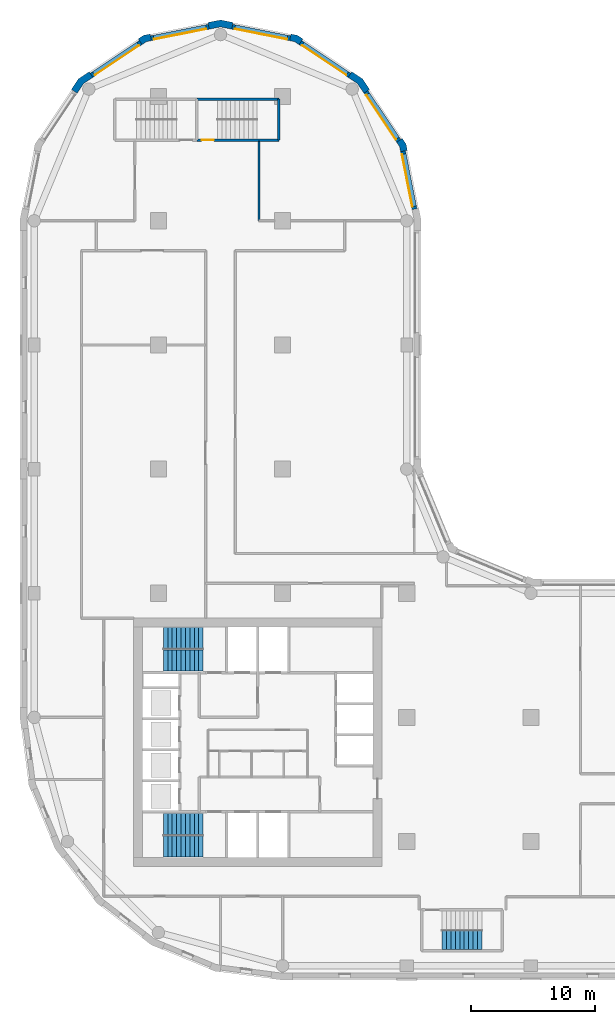
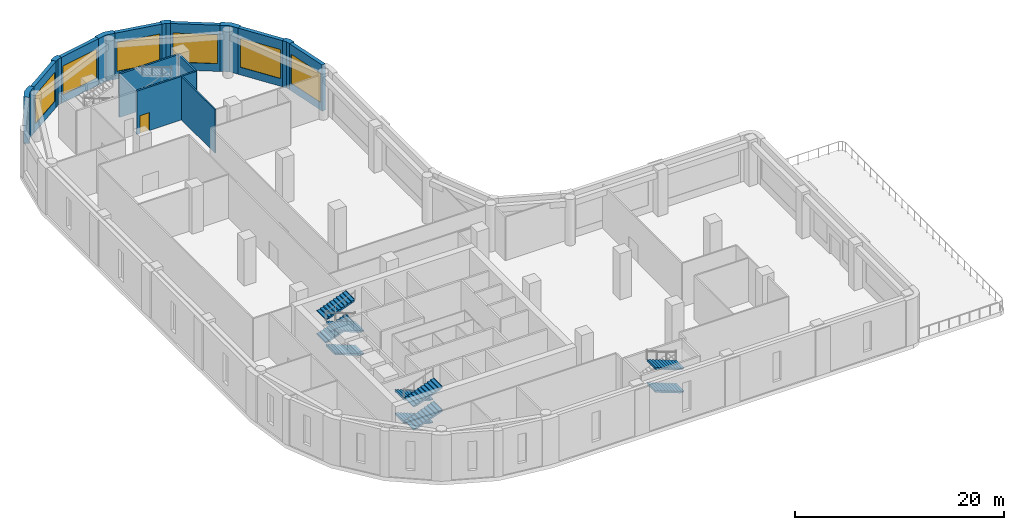
# One storey, part 6 of 9: 16 walls, 10 stair flights, 6 windows, 1 door, 7 openings, 3 elements without a shape of their own.
"""IFC4 building model written with IfcOpenShell, lengths in metres."""

from ifc_helpers import new_model, si_unit, direction, frame, frame_2d, origin, place, context, subcontext, project, spatial, polyline, rectangle, outline, extrude, material, layer, layer_set, type_object, element, fill, aggregate, save


model = new_model("IFC4")

# Units and contexts
model_context = context("Model", 3, precision=1e-05, world=origin(), true_north=direction((0.0, 1.0)))
body_context = subcontext(model_context, "Body", "Model", "MODEL_VIEW")
ifc_project = project(units=[si_unit("LENGTHUNIT", "METRE"), si_unit("AREAUNIT", "SQUARE_METRE"), si_unit("VOLUMEUNIT", "CUBIC_METRE"), si_unit("PLANEANGLEUNIT", "RADIAN"), si_unit("MASSUNIT", "GRAM", prefix="KILO")], contexts=[model_context])

# Site, building, storey
site_placement = place(None, origin())
site = spatial("IfcSite", under=ifc_project, at=site_placement, CompositionType="ELEMENT")
building_placement = place(site_placement, origin())
building = spatial("IfcBuilding", under=site, at=building_placement, Name="Qaws Garden Tower", CompositionType="ELEMENT")
storey_placement = place(building_placement, frame((0.0, 0.0, 126.300048828125)))
storey = spatial("IfcBuildingStorey", under=building, at=storey_placement, Name="L30", CompositionType="ELEMENT", Elevation=126.300048828125)

# Wall, opening, window
ifc_material_1 = material(Name="Clay facing brick masonry", Category="masonry")
ifc_layer_1 = layer(ifc_material_1, 0.39990234375)
ifc_layer_set_1 = layer_set([ifc_layer_1], Name="Clay facing brick masonry")
wall_type_1 = type_object("IfcWallType", Name="Brick infill wall 400", PredefinedType="SOLIDWALL", material=ifc_layer_set_1)
wall_1_placement = place(storey_placement, frame((30.628662109375, 60.940673828125, 0.0), z_axis=(0.0, 0.0, 1.0), x_axis=(-0.195098533057, 0.98078364709, 0.0)))
wall_1 = element("IfcWall", 1, at=wall_1_placement, inside=storey, type_object=wall_type_1, Name="E-L30-infill-13", PredefinedType="SOLIDWALL", context=body_context, shape_type="SweptSolid", body=[
    extrude(rectangle(XDim=4.752685546875, YDim=0.39990234375, at=frame_2d((2.37646484375, 0.0))), origin(), (0.0, 0.0, 1.0), 5.39990234375),
])
opening_1_placement = place(wall_1_placement, frame((0.226318359375, 0.0, 0.89990234375)))
opening_1 = element("IfcOpeningElement", 2, at=opening_1_placement, cuts=wall_1, Name="Opening W07", PredefinedType="OPENING", context=body_context, shape_type="SweptSolid", body=[
    extrude(rectangle(XDim=4.300048828125, YDim=3.39990234375, at=frame_2d((2.14990234375, 1.699951171875))), frame((0.0, 0.2099609375, 0.0), z_axis=(0.0, -1.0, 0.0), x_axis=(1.0, 0.0, 0.0)), (0.0, 0.0, 1.0), 0.419921875),
])
ifc_material_2 = material(Name="Aluminium framed window, clear glazing", Category="aluminium")
window_type = type_object("IfcWindowType", Name="Ribbon window 4300 x 3400", PartitioningType="DOUBLE_PANEL_VERTICAL", PredefinedType="WINDOW", material=ifc_material_2)
window_1_placement = place(opening_1_placement, origin())
window_1 = element("IfcWindow", 3, at=window_1_placement, inside=storey, type_object=window_type, Name="E-L30-window-13-0", OverallHeight=3.39990234375, OverallWidth=4.300048828125, PartitioningType="SINGLE_PANEL", PredefinedType="WINDOW", context=body_context, shape_type="SweptSolid", body=[
    extrude(rectangle(XDim=4.300048828125, YDim=3.39990234375, at=frame_2d((2.14990234375, 1.699951171875))), frame((0.0, 0.159912109375, 0.0), z_axis=(0.0, -1.0, 0.0), x_axis=(1.0, 0.0, 0.0)), (0.0, 0.0, 1.0), 0.06005859375),
])
fill(opening_1, window_1)

wall_2_placement = place(storey_placement, frame((29.356689453125, 66.43408203125, 0.0), z_axis=(0.0, 0.0, 1.0), x_axis=(-0.555541552266, 0.831488775454, 0.0)))
wall_2 = element("IfcWall", 4, at=wall_2_placement, inside=storey, type_object=wall_type_1, Name="E-L30-infill-14", PredefinedType="SOLIDWALL", context=body_context, shape_type="SweptSolid", body=[
    extrude(rectangle(XDim=4.752685546875, YDim=0.39990234375, at=frame_2d((2.37646484375, 0.0))), origin(), (0.0, 0.0, 1.0), 5.39990234375),
])
opening_2_placement = place(wall_2_placement, frame((0.226318359375, 0.0, 0.89990234375)))
opening_2 = element("IfcOpeningElement", 5, at=opening_2_placement, cuts=wall_2, Name="Opening W07", PredefinedType="OPENING", context=body_context, shape_type="SweptSolid", body=[
    extrude(rectangle(XDim=4.300048828125, YDim=3.39990234375, at=frame_2d((2.14990234375, 1.699951171875))), frame((0.0, 0.2099609375, 0.0), z_axis=(0.0, -1.0, 0.0), x_axis=(1.0, 0.0, 0.0)), (0.0, 0.0, 1.0), 0.419921875),
])
window_2_placement = place(opening_2_placement, origin())
window_2 = element("IfcWindow", 6, at=window_2_placement, inside=storey, type_object=window_type, Name="E-L30-window-14-0", OverallHeight=3.39990234375, OverallWidth=4.300048828125, PartitioningType="SINGLE_PANEL", PredefinedType="WINDOW", context=body_context, shape_type="SweptSolid", body=[
    extrude(rectangle(XDim=4.300048828125, YDim=3.39990234375, at=frame_2d((2.14990234375, 1.699951171875))), frame((0.0, 0.159912109375, 0.0), z_axis=(0.0, -1.0, 0.0), x_axis=(1.0, 0.0, 0.0)), (0.0, 0.0, 1.0), 0.06005859375),
])
fill(opening_2, window_2)

wall_3_placement = place(storey_placement, frame((25.385986328125, 71.71630859375, 0.0), z_axis=(0.0, 0.0, 1.0), x_axis=(-0.831488775454, 0.555541552266, 0.0)))
wall_3 = element("IfcWall", 7, at=wall_3_placement, inside=storey, type_object=wall_type_1, Name="E-L30-infill-15", PredefinedType="SOLIDWALL", context=body_context, shape_type="SweptSolid", body=[
    extrude(rectangle(XDim=4.752685546875, YDim=0.39990234375, at=frame_2d((2.37646484375, 0.0))), origin(), (0.0, 0.0, 1.0), 5.39990234375),
])
opening_3_placement = place(wall_3_placement, frame((0.226318359375, 0.0, 0.89990234375)))
opening_3 = element("IfcOpeningElement", 8, at=opening_3_placement, cuts=wall_3, Name="Opening W07", PredefinedType="OPENING", context=body_context, shape_type="SweptSolid", body=[
    extrude(rectangle(XDim=4.300048828125, YDim=3.39990234375, at=frame_2d((2.14990234375, 1.699951171875))), frame((0.0, 0.2099609375, 0.0), z_axis=(0.0, -1.0, 0.0), x_axis=(1.0, 0.0, 0.0)), (0.0, 0.0, 1.0), 0.419921875),
])
window_3_placement = place(opening_3_placement, origin())
window_3 = element("IfcWindow", 9, at=window_3_placement, inside=storey, type_object=window_type, Name="E-L30-window-15-0", OverallHeight=3.39990234375, OverallWidth=4.300048828125, PartitioningType="SINGLE_PANEL", PredefinedType="WINDOW", context=body_context, shape_type="SweptSolid", body=[
    extrude(rectangle(XDim=4.300048828125, YDim=3.39990234375, at=frame_2d((2.14990234375, 1.699951171875))), frame((0.0, 0.159912109375, 0.0), z_axis=(0.0, -1.0, 0.0), x_axis=(1.0, 0.0, 0.0)), (0.0, 0.0, 1.0), 0.06005859375),
])
fill(opening_3, window_3)

wall_4_placement = place(storey_placement, frame((20.60205078125, 74.701416015625, 0.0), z_axis=(0.0, 0.0, 1.0), x_axis=(-0.98078364709, 0.195098533057, 0.0)))
wall_4 = element("IfcWall", 10, at=wall_4_placement, inside=storey, type_object=wall_type_1, Name="E-L30-infill-16", PredefinedType="SOLIDWALL", context=body_context, shape_type="SweptSolid", body=[
    extrude(rectangle(XDim=4.752685546875, YDim=0.39990234375, at=frame_2d((2.37646484375, 0.0))), origin(), (0.0, 0.0, 1.0), 5.39990234375),
])
opening_4_placement = place(wall_4_placement, frame((0.226318359375, 0.0, 0.89990234375)))
opening_4 = element("IfcOpeningElement", 11, at=opening_4_placement, cuts=wall_4, Name="Opening W07", PredefinedType="OPENING", context=body_context, shape_type="SweptSolid", body=[
    extrude(rectangle(XDim=4.300048828125, YDim=3.39990234375, at=frame_2d((2.14990234375, 1.699951171875))), frame((0.0, 0.2099609375, 0.0), z_axis=(0.0, -1.0, 0.0), x_axis=(1.0, 0.0, 0.0)), (0.0, 0.0, 1.0), 0.419921875),
])
window_4_placement = place(opening_4_placement, origin())
window_4 = element("IfcWindow", 12, at=window_4_placement, inside=storey, type_object=window_type, Name="E-L30-window-16-0", OverallHeight=3.39990234375, OverallWidth=4.300048828125, PartitioningType="SINGLE_PANEL", PredefinedType="WINDOW", context=body_context, shape_type="SweptSolid", body=[
    extrude(rectangle(XDim=4.300048828125, YDim=3.39990234375, at=frame_2d((2.14990234375, 1.699951171875))), frame((0.0, 0.159912109375, 0.0), z_axis=(0.0, -1.0, 0.0), x_axis=(1.0, 0.0, 0.0)), (0.0, 0.0, 1.0), 0.06005859375),
])
fill(opening_4, window_4)

wall_5_placement = place(storey_placement, frame((14.059326171875, 75.628662109375, 0.0), z_axis=(0.0, 0.0, 1.0), x_axis=(-0.98078364709, -0.195098533057, 0.0)))
wall_5 = element("IfcWall", 13, at=wall_5_placement, inside=storey, type_object=wall_type_1, Name="E-L30-infill-17", PredefinedType="SOLIDWALL", context=body_context, shape_type="SweptSolid", body=[
    extrude(rectangle(XDim=4.752685546875, YDim=0.39990234375, at=frame_2d((2.37646484375, 0.0))), origin(), (0.0, 0.0, 1.0), 5.39990234375),
])
opening_5_placement = place(wall_5_placement, frame((0.226318359375, 0.0, 0.89990234375)))
opening_5 = element("IfcOpeningElement", 14, at=opening_5_placement, cuts=wall_5, Name="Opening W07", PredefinedType="OPENING", context=body_context, shape_type="SweptSolid", body=[
    extrude(rectangle(XDim=4.300048828125, YDim=3.39990234375, at=frame_2d((2.14990234375, 1.699951171875))), frame((0.0, 0.2099609375, 0.0), z_axis=(0.0, -1.0, 0.0), x_axis=(1.0, 0.0, 0.0)), (0.0, 0.0, 1.0), 0.419921875),
])
window_5_placement = place(opening_5_placement, origin())
window_5 = element("IfcWindow", 15, at=window_5_placement, inside=storey, type_object=window_type, Name="E-L30-window-17-0", OverallHeight=3.39990234375, OverallWidth=4.300048828125, PartitioningType="SINGLE_PANEL", PredefinedType="WINDOW", context=body_context, shape_type="SweptSolid", body=[
    extrude(rectangle(XDim=4.300048828125, YDim=3.39990234375, at=frame_2d((2.14990234375, 1.699951171875))), frame((0.0, 0.159912109375, 0.0), z_axis=(0.0, -1.0, 0.0), x_axis=(1.0, 0.0, 0.0)), (0.0, 0.0, 1.0), 0.06005859375),
])
fill(opening_5, window_5)

wall_6_placement = place(storey_placement, frame((8.56591796875, 74.356689453125, 0.0), z_axis=(0.0, 0.0, 1.0), x_axis=(-0.831488775454, -0.555541552266, 0.0)))
wall_6 = element("IfcWall", 16, at=wall_6_placement, inside=storey, type_object=wall_type_1, Name="E-L30-infill-18", PredefinedType="SOLIDWALL", context=body_context, shape_type="SweptSolid", body=[
    extrude(rectangle(XDim=4.752685546875, YDim=0.39990234375, at=frame_2d((2.37646484375, 0.0))), origin(), (0.0, 0.0, 1.0), 5.39990234375),
])
opening_6_placement = place(wall_6_placement, frame((0.226318359375, 0.0, 0.89990234375)))
opening_6 = element("IfcOpeningElement", 17, at=opening_6_placement, cuts=wall_6, Name="Opening W07", PredefinedType="OPENING", context=body_context, shape_type="SweptSolid", body=[
    extrude(rectangle(XDim=4.300048828125, YDim=3.39990234375, at=frame_2d((2.14990234375, 1.699951171875))), frame((0.0, 0.2099609375, 0.0), z_axis=(0.0, -1.0, 0.0), x_axis=(1.0, 0.0, 0.0)), (0.0, 0.0, 1.0), 0.419921875),
])
window_6_placement = place(opening_6_placement, origin())
window_6 = element("IfcWindow", 18, at=window_6_placement, inside=storey, type_object=window_type, Name="E-L30-window-18-0", OverallHeight=3.39990234375, OverallWidth=4.300048828125, PartitioningType="SINGLE_PANEL", PredefinedType="WINDOW", context=body_context, shape_type="SweptSolid", body=[
    extrude(rectangle(XDim=4.300048828125, YDim=3.39990234375, at=frame_2d((2.14990234375, 1.699951171875))), frame((0.0, 0.159912109375, 0.0), z_axis=(0.0, -1.0, 0.0), x_axis=(1.0, 0.0, 0.0)), (0.0, 0.0, 1.0), 0.06005859375),
])
fill(opening_6, window_6)

# Walls
ifc_material_3 = material(Name="Clay facing brick masonry", Category="masonry")
ifc_layer_2 = layer(ifc_material_3, 0.550048828125)
ifc_layer_set_2 = layer_set([ifc_layer_2], Name="Clay facing brick masonry")
wall_type_2 = type_object("IfcWallType", Name="Brick kink pier 550 x 600", PredefinedType="SOLIDWALL", material=ifc_layer_set_2)
placement = place(storey_placement, origin())
element("IfcWall", 19, at=placement, inside=storey, type_object=wall_type_2, Name="E-L30-pier-14", PredefinedType="SOLIDWALL", context=body_context, shape_type="SweptSolid", body=[
    extrude(outline(polyline([(29.8974609375, 65.64111328125), (30.044677734375, 65.67041015625), (29.94140625, 66.18896484375), (29.647705078125, 66.628662109375), (29.52294921875, 66.545166015625), (29.1904296875, 66.322998046875), (29.42333984375, 65.974365234375), (29.505126953125, 65.56298828125), (29.8974609375, 65.64111328125)])), origin(), (0.0, 0.0, 1.0), 5.39990234375),
])
element("IfcWall", 20, at=placement, inside=storey, type_object=wall_type_2, Name="E-L30-pier-16", PredefinedType="SOLIDWALL", context=body_context, shape_type="SweptSolid", body=[
    extrude(outline(polyline([(21.545166015625, 74.52294921875), (21.628662109375, 74.647705078125), (21.18896484375, 74.94140625), (20.67041015625, 75.044677734375), (20.64111328125, 74.8974609375), (20.56298828125, 74.505126953125), (20.974365234375, 74.42333984375), (21.322998046875, 74.1904296875), (21.545166015625, 74.52294921875)])), origin(), (0.0, 0.0, 1.0), 5.39990234375),
])
element("IfcWall", 21, at=placement, inside=storey, type_object=wall_type_2, Name="E-L30-pier-18", PredefinedType="SOLIDWALL", context=body_context, shape_type="SweptSolid", body=[
    extrude(outline(polyline([(9.35888671875, 74.8974609375), (9.32958984375, 75.044677734375), (8.81103515625, 74.94140625), (8.371337890625, 74.647705078125), (8.454833984375, 74.52294921875), (8.677001953125, 74.1904296875), (9.025634765625, 74.42333984375), (9.43701171875, 74.505126953125), (9.35888671875, 74.8974609375)])), origin(), (0.0, 0.0, 1.0), 5.39990234375),
])
ifc_material_4 = material(Name="Clay facing brick masonry", Category="masonry")
ifc_layer_3 = layer(ifc_material_4, 0.550048828125)
ifc_layer_set_3 = layer_set([ifc_layer_3], Name="Clay facing brick masonry")
wall_type_3 = type_object("IfcWallType", Name="Brick pier 550 x 1600", PredefinedType="SOLIDWALL", material=ifc_layer_set_3)
element("IfcWall", 22, at=placement, inside=storey, type_object=wall_type_3, Name="E-L30-pier-15", PredefinedType="SOLIDWALL", context=body_context, shape_type="SweptSolid", body=[
    extrude(outline(polyline([(26.882568359375, 70.4970703125), (27.00732421875, 70.580322265625), (26.435791015625, 71.435791015625), (25.580322265625, 72.00732421875), (25.4970703125, 71.882568359375), (25.274658203125, 71.550048828125), (26.0390625, 71.0390625), (26.550048828125, 70.274658203125), (26.882568359375, 70.4970703125)])), origin(), (0.0, 0.0, 1.0), 5.39990234375),
])
element("IfcWall", 23, at=placement, inside=storey, type_object=wall_type_3, Name="E-L30-pier-17", PredefinedType="SOLIDWALL", context=body_context, shape_type="SweptSolid", body=[
    extrude(outline(polyline([(15.979736328125, 75.82470703125), (16.009033203125, 75.971923828125), (15.0, 76.172607421875), (13.990966796875, 75.971923828125), (14.020263671875, 75.82470703125), (14.098388671875, 75.432373046875), (15.0, 75.61181640625), (15.901611328125, 75.432373046875), (15.979736328125, 75.82470703125)])), origin(), (0.0, 0.0, 1.0), 5.39990234375),
])
element("IfcWall", 24, at=placement, inside=storey, type_object=wall_type_3, Name="E-L30-pier-19", PredefinedType="SOLIDWALL", context=body_context, shape_type="SweptSolid", body=[
    extrude(outline(polyline([(4.5029296875, 71.882568359375), (4.419677734375, 72.00732421875), (3.564208984375, 71.435791015625), (2.99267578125, 70.580322265625), (3.117431640625, 70.4970703125), (3.449951171875, 70.274658203125), (3.9609375, 71.0390625), (4.725341796875, 71.550048828125), (4.5029296875, 71.882568359375)])), origin(), (0.0, 0.0, 1.0), 5.39990234375),
])

# Wall, opening, door
ifc_material_5 = material(Name="Concrete C70", Category="concrete")
ifc_layer_4 = layer(ifc_material_5, 0.199951171875)
ifc_layer_set_4 = layer_set([ifc_layer_4], Name="Concrete C70")
wall_type_4 = type_object("IfcWallType", Name="Core shaft wall 200 C70", PredefinedType="SHEAR", material=ifc_layer_set_4)
wall_13_placement = place(storey_placement, frame((13.10009765625, 66.5, 0.0), z_axis=(0.0, 0.0, 1.0), x_axis=(1.0, 0.0, 0.0)))
wall_13 = element("IfcWall", 25, at=wall_13_placement, inside=storey, type_object=wall_type_4, Name="Shaft wall", PredefinedType="SHEAR", context=body_context, shape_type="SweptSolid", body=[
    extrude(rectangle(XDim=6.599853515625, YDim=0.199951171875, at=frame_2d((3.2998046875, 0.0))), origin(), (0.0, 0.0, 1.0), 5.079833984375),
])
opening_7_placement = place(wall_13_placement, frame((0.375, 0.0, 0.0)))
opening_7 = element("IfcOpeningElement", 26, at=opening_7_placement, cuts=wall_13, Name="Opening SD16", PredefinedType="OPENING", context=body_context, shape_type="SweptSolid", body=[
    extrude(rectangle(XDim=1.0, YDim=2.10009765625, at=frame_2d((0.5, 1.050048828125))), frame((0.0, 0.10986328125, 0.0), z_axis=(0.0, -1.0, 0.0), x_axis=(1.0, 0.0, 0.0)), (0.0, 0.0, 1.0), 0.219970703125),
])
ifc_material_6 = material(Name="Steel S235", Category="steel")
door_type = type_object("IfcDoorType", Name="Stair door 1000x2100", OperationType="SINGLE_SWING_RIGHT", PredefinedType="DOOR", material=ifc_material_6)
door_placement = place(opening_7_placement, origin())
door = element("IfcDoor", 27, at=door_placement, inside=storey, type_object=door_type, Name="Stair 7 door", OperationType="SINGLE_SWING_LEFT", OverallHeight=2.10009765625, OverallWidth=1.0, PredefinedType="DOOR", context=body_context, shape_type="SweptSolid", body=[
    extrude(rectangle(XDim=1.0, YDim=2.10009765625, at=frame_2d((0.5, 1.050048828125))), frame((0.0, 0.02490234375, 0.0), z_axis=(0.0, -1.0, 0.0), x_axis=(1.0, 0.0, 0.0)), (0.0, 0.0, 1.0), 0.050048828125),
])
fill(opening_7, door)

# Walls
wall_14_placement = place(storey_placement, frame((13.10009765625, 69.800048828125, 0.0), z_axis=(0.0, 0.0, 1.0), x_axis=(1.0, 0.0, 0.0)))
element("IfcWall", 28, at=wall_14_placement, inside=storey, type_object=wall_type_4, Name="Shaft wall", PredefinedType="SHEAR", context=body_context, shape_type="SweptSolid", body=[
    extrude(rectangle(XDim=6.599853515625, YDim=0.199951171875, at=frame_2d((3.2998046875, 0.0))), origin(), (0.0, 0.0, 1.0), 5.079833984375),
])
wall_15_placement = place(storey_placement, frame((19.699951171875, 66.5, 0.0), z_axis=(0.0, 0.0, 1.0), x_axis=(0.0, 1.0, 0.0)))
element("IfcWall", 29, at=wall_15_placement, inside=storey, type_object=wall_type_4, Name="Shaft wall", PredefinedType="SHEAR", context=body_context, shape_type="SweptSolid", body=[
    extrude(rectangle(XDim=3.300048828125, YDim=0.199951171875, at=frame_2d((1.64990234375, 0.0))), origin(), (0.0, 0.0, 1.0), 5.079833984375),
])
ifc_material_7 = material(Name="Gypsum board partition")
ifc_layer_5 = layer(ifc_material_7, 0.14990234375)
ifc_layer_set_5 = layer_set([ifc_layer_5], Name="Gypsum board partition")
wall_type_5 = type_object("IfcWallType", Name="PARTITION 150 EI 60", PredefinedType="PARTITIONING", material=ifc_layer_set_5)
wall_16_placement = place(storey_placement, frame((18.10009765625, 60.0, 0.0), z_axis=(0.0, 0.0, 1.0), x_axis=(0.0, 1.0, 0.0)))
element("IfcWall", 30, at=wall_16_placement, inside=storey, type_object=wall_type_5, Name="O-L30-wall-009", PredefinedType="PARTITIONING", context=body_context, shape_type="SweptSolid", body=[
    extrude(rectangle(XDim=6.39990234375, YDim=0.14990234375, at=frame_2d((3.199951171875, 0.0))), origin(), (0.0, 0.0, 1.0), 5.079833984375),
])

# Stair, stair flights
ifc_material_8 = material(Name="Concrete C40", Category="concrete")
stair_type_1 = type_object("IfcStairType", Name="Exit stair 1350", PredefinedType="HALF_TURN_STAIR", material=ifc_material_8)
stair_1 = element("IfcStair", 31, at=placement, inside=storey, type_object=stair_type_1, Name="Stair 5", PredefinedType="HALF_TURN_STAIR")
ifc_material_9 = material(Name="Concrete C40", Category="concrete")
stair_flight_type_1 = type_object("IfcStairFlightType", Name="Stair flight 1350", PredefinedType="STRAIGHT", material=ifc_material_9)
stair_flight_1_placement = place(storey_placement, frame((36.053955078125, 2.074951171875, 1.349853515625), z_axis=(0.0, 0.0, 1.0), x_axis=(-1.0, 0.0, 0.0)))
stair_flight_1 = element("IfcStairFlight", 32, at=stair_flight_1_placement, type_object=stair_flight_type_1, Name="ST5 flight 2", NumberOfRisers=10, NumberOfTreads=9, PredefinedType="STRAIGHT", RiserHeight=0.135, TreadLength=0.356, context=body_context, shape_type="SweptSolid", body=[
    extrude(outline(polyline([(-0.0029296875, 0.0), (-0.0029296875, 0.135009765625), (0.0, 0.135009765625), (0.35595703125, 0.135009765625), (0.35595703125, 0.27001953125), (0.7119140625, 0.27001953125), (0.7119140625, 0.405029296875), (1.068115234375, 0.405029296875), (1.068115234375, 0.5400390625), (1.424072265625, 0.5400390625), (1.424072265625, 0.675048828125), (1.780029296875, 0.675048828125), (1.780029296875, 0.81005859375), (2.135986328125, 0.81005859375), (2.135986328125, 0.945068359375), (2.491943359375, 0.945068359375), (2.491943359375, 1.080078125), (2.847900390625, 1.080078125), (2.847900390625, 1.215087890625), (3.2041015625, 1.215087890625), (3.2041015625, 1.35009765625), (3.20703125, 1.35009765625), (3.20703125, 1.0546875), (3.2041015625, 1.0546875), (0.4228515625, 0.0), (-0.0029296875, 0.0)])), frame((0.0, 0.77001953125, 0.0), z_axis=(0.0, -1.0, 0.0), x_axis=(1.0, 0.0, 0.0)), (0.0, 0.0, 1.0), 1.5400390625),
])
stair_flight_2_placement = place(storey_placement, frame((36.053955078125, 2.074951171875, 4.050048828125), z_axis=(0.0, 0.0, 1.0), x_axis=(-1.0, 0.0, 0.0)))
stair_flight_2 = element("IfcStairFlight", 33, at=stair_flight_2_placement, type_object=stair_flight_type_1, Name="ST5 flight 4", NumberOfRisers=10, NumberOfTreads=9, PredefinedType="STRAIGHT", RiserHeight=0.135, TreadLength=0.356, context=body_context, shape_type="SweptSolid", body=[
    extrude(outline(polyline([(-0.0029296875, 0.0), (-0.0029296875, 0.135009765625), (0.0, 0.135009765625), (0.35595703125, 0.135009765625), (0.35595703125, 0.27001953125), (0.7119140625, 0.27001953125), (0.7119140625, 0.405029296875), (1.068115234375, 0.405029296875), (1.068115234375, 0.5400390625), (1.424072265625, 0.5400390625), (1.424072265625, 0.675048828125), (1.780029296875, 0.675048828125), (1.780029296875, 0.81005859375), (2.135986328125, 0.81005859375), (2.135986328125, 0.945068359375), (2.491943359375, 0.945068359375), (2.491943359375, 1.080078125), (2.847900390625, 1.080078125), (2.847900390625, 1.215087890625), (3.2041015625, 1.215087890625), (3.2041015625, 1.35009765625), (3.20703125, 1.35009765625), (3.20703125, 1.0546875), (3.2041015625, 1.0546875), (0.4228515625, 0.0), (-0.0029296875, 0.0)])), frame((0.0, 0.77001953125, 0.0), z_axis=(0.0, -1.0, 0.0), x_axis=(1.0, 0.0, 0.0)), (0.0, 0.0, 1.0), 1.5400390625),
])
aggregate(stair_1, [stair_flight_1, stair_flight_2])

ifc_material_10 = material(Name="Concrete C40", Category="concrete")
stair_type_2 = type_object("IfcStairType", Name="Exit stair 1500", PredefinedType="HALF_TURN_STAIR", material=ifc_material_10)
stair_2 = element("IfcStair", 34, at=placement, inside=storey, type_object=stair_type_2, Name="Stair 1", PredefinedType="HALF_TURN_STAIR")
ifc_material_11 = material(Name="Concrete C40", Category="concrete")
stair_flight_type_2 = type_object("IfcStairFlightType", Name="Stair flight 1500", PredefinedType="STRAIGHT", material=ifc_material_11)
stair_flight_3_placement = place(storey_placement, frame((13.60009765625, 11.39990234375, 0.0), z_axis=(0.0, 0.0, 1.0), x_axis=(-1.0, 0.0, 0.0)))
stair_flight_3 = element("IfcStairFlight", 35, at=stair_flight_3_placement, type_object=stair_flight_type_2, Name="ST1 flight 1", NumberOfRisers=10, NumberOfTreads=9, PredefinedType="STRAIGHT", RiserHeight=0.135, TreadLength=0.356, context=body_context, shape_type="SweptSolid", body=[
    extrude(outline(polyline([(-0.0029296875, 0.0), (-0.0029296875, 0.135009765625), (0.0, 0.135009765625), (0.35595703125, 0.135009765625), (0.35595703125, 0.27001953125), (0.7119140625, 0.27001953125), (0.7119140625, 0.405029296875), (1.068115234375, 0.405029296875), (1.068115234375, 0.5400390625), (1.424072265625, 0.5400390625), (1.424072265625, 0.675048828125), (1.780029296875, 0.675048828125), (1.780029296875, 0.81005859375), (2.135986328125, 0.81005859375), (2.135986328125, 0.945068359375), (2.491943359375, 0.945068359375), (2.491943359375, 1.080078125), (2.847900390625, 1.080078125), (2.847900390625, 1.215087890625), (3.2041015625, 1.215087890625), (3.2041015625, 1.35009765625), (3.20703125, 1.35009765625), (3.20703125, 1.0546875), (3.2041015625, 1.0546875), (0.4228515625, 0.0), (-0.0029296875, 0.0)])), frame((0.0, 0.844970703125, 0.0), z_axis=(0.0, -1.0, 0.0), x_axis=(1.0, 0.0, 0.0)), (0.0, 0.0, 1.0), 1.68994140625),
])
stair_flight_4_placement = place(storey_placement, frame((10.39599609375, 9.60009765625, 1.349853515625), z_axis=(0.0, 0.0, 1.0), x_axis=(1.0, 0.0, 0.0)))
stair_flight_4 = element("IfcStairFlight", 36, at=stair_flight_4_placement, type_object=stair_flight_type_2, Name="ST1 flight 2", NumberOfRisers=10, NumberOfTreads=9, PredefinedType="STRAIGHT", RiserHeight=0.135, TreadLength=0.356, context=body_context, shape_type="SweptSolid", body=[
    extrude(outline(polyline([(-0.0029296875, 0.0), (-0.0029296875, 0.135009765625), (0.0, 0.135009765625), (0.35595703125, 0.135009765625), (0.35595703125, 0.27001953125), (0.7119140625, 0.27001953125), (0.7119140625, 0.405029296875), (1.068115234375, 0.405029296875), (1.068115234375, 0.5400390625), (1.424072265625, 0.5400390625), (1.424072265625, 0.675048828125), (1.780029296875, 0.675048828125), (1.780029296875, 0.81005859375), (2.135986328125, 0.81005859375), (2.135986328125, 0.945068359375), (2.491943359375, 0.945068359375), (2.491943359375, 1.080078125), (2.847900390625, 1.080078125), (2.847900390625, 1.215087890625), (3.2041015625, 1.215087890625), (3.2041015625, 1.35009765625), (3.20703125, 1.35009765625), (3.20703125, 1.0546875), (3.2041015625, 1.0546875), (0.4228515625, 0.0), (-0.0029296875, 0.0)])), frame((0.0, 0.844970703125, 0.0), z_axis=(0.0, -1.0, 0.0), x_axis=(1.0, 0.0, 0.0)), (0.0, 0.0, 1.0), 1.68994140625),
])
stair_flight_5_placement = place(storey_placement, frame((13.60009765625, 11.39990234375, 2.699951171875), z_axis=(0.0, 0.0, 1.0), x_axis=(-1.0, 0.0, 0.0)))
stair_flight_5 = element("IfcStairFlight", 37, at=stair_flight_5_placement, type_object=stair_flight_type_2, Name="ST1 flight 3", NumberOfRisers=10, NumberOfTreads=9, PredefinedType="STRAIGHT", RiserHeight=0.135, TreadLength=0.356, context=body_context, shape_type="SweptSolid", body=[
    extrude(outline(polyline([(-0.0029296875, 0.0), (-0.0029296875, 0.135009765625), (0.0, 0.135009765625), (0.35595703125, 0.135009765625), (0.35595703125, 0.27001953125), (0.7119140625, 0.27001953125), (0.7119140625, 0.405029296875), (1.068115234375, 0.405029296875), (1.068115234375, 0.5400390625), (1.424072265625, 0.5400390625), (1.424072265625, 0.675048828125), (1.780029296875, 0.675048828125), (1.780029296875, 0.81005859375), (2.135986328125, 0.81005859375), (2.135986328125, 0.945068359375), (2.491943359375, 0.945068359375), (2.491943359375, 1.080078125), (2.847900390625, 1.080078125), (2.847900390625, 1.215087890625), (3.2041015625, 1.215087890625), (3.2041015625, 1.35009765625), (3.20703125, 1.35009765625), (3.20703125, 1.0546875), (3.2041015625, 1.0546875), (0.4228515625, 0.0), (-0.0029296875, 0.0)])), frame((0.0, 0.844970703125, 0.0), z_axis=(0.0, -1.0, 0.0), x_axis=(1.0, 0.0, 0.0)), (0.0, 0.0, 1.0), 1.68994140625),
])
stair_flight_6_placement = place(storey_placement, frame((10.39599609375, 9.60009765625, 4.050048828125), z_axis=(0.0, 0.0, 1.0), x_axis=(1.0, 0.0, 0.0)))
stair_flight_6 = element("IfcStairFlight", 38, at=stair_flight_6_placement, type_object=stair_flight_type_2, Name="ST1 flight 4", NumberOfRisers=10, NumberOfTreads=9, PredefinedType="STRAIGHT", RiserHeight=0.135, TreadLength=0.356, context=body_context, shape_type="SweptSolid", body=[
    extrude(outline(polyline([(-0.0029296875, 0.0), (-0.0029296875, 0.135009765625), (0.0, 0.135009765625), (0.35595703125, 0.135009765625), (0.35595703125, 0.27001953125), (0.7119140625, 0.27001953125), (0.7119140625, 0.405029296875), (1.068115234375, 0.405029296875), (1.068115234375, 0.5400390625), (1.424072265625, 0.5400390625), (1.424072265625, 0.675048828125), (1.780029296875, 0.675048828125), (1.780029296875, 0.81005859375), (2.135986328125, 0.81005859375), (2.135986328125, 0.945068359375), (2.491943359375, 0.945068359375), (2.491943359375, 1.080078125), (2.847900390625, 1.080078125), (2.847900390625, 1.215087890625), (3.2041015625, 1.215087890625), (3.2041015625, 1.35009765625), (3.20703125, 1.35009765625), (3.20703125, 1.0546875), (3.2041015625, 1.0546875), (0.4228515625, 0.0), (-0.0029296875, 0.0)])), frame((0.0, 0.844970703125, 0.0), z_axis=(0.0, -1.0, 0.0), x_axis=(1.0, 0.0, 0.0)), (0.0, 0.0, 1.0), 1.68994140625),
])
aggregate(stair_2, [stair_flight_3, stair_flight_4, stair_flight_5, stair_flight_6])

stair_3 = element("IfcStair", 39, at=placement, inside=storey, type_object=stair_type_2, Name="Stair 4", PredefinedType="HALF_TURN_STAIR")
stair_flight_7_placement = place(storey_placement, frame((13.60009765625, 24.60009765625, 0.0), z_axis=(0.0, 0.0, 1.0), x_axis=(-1.0, 0.0, 0.0)))
stair_flight_7 = element("IfcStairFlight", 40, at=stair_flight_7_placement, type_object=stair_flight_type_2, Name="ST4 flight 1", NumberOfRisers=10, NumberOfTreads=9, PredefinedType="STRAIGHT", RiserHeight=0.135, TreadLength=0.356, context=body_context, shape_type="SweptSolid", body=[
    extrude(outline(polyline([(-0.0029296875, 0.0), (-0.0029296875, 0.135009765625), (0.0, 0.135009765625), (0.35595703125, 0.135009765625), (0.35595703125, 0.27001953125), (0.7119140625, 0.27001953125), (0.7119140625, 0.405029296875), (1.068115234375, 0.405029296875), (1.068115234375, 0.5400390625), (1.424072265625, 0.5400390625), (1.424072265625, 0.675048828125), (1.780029296875, 0.675048828125), (1.780029296875, 0.81005859375), (2.135986328125, 0.81005859375), (2.135986328125, 0.945068359375), (2.491943359375, 0.945068359375), (2.491943359375, 1.080078125), (2.847900390625, 1.080078125), (2.847900390625, 1.215087890625), (3.2041015625, 1.215087890625), (3.2041015625, 1.35009765625), (3.20703125, 1.35009765625), (3.20703125, 1.0546875), (3.2041015625, 1.0546875), (0.4228515625, 0.0), (-0.0029296875, 0.0)])), frame((0.0, 0.844970703125, 0.0), z_axis=(0.0, -1.0, 0.0), x_axis=(1.0, 0.0, 0.0)), (0.0, 0.0, 1.0), 1.68994140625),
])
stair_flight_8_placement = place(storey_placement, frame((10.39599609375, 26.39990234375, 1.349853515625), z_axis=(0.0, 0.0, 1.0), x_axis=(1.0, 0.0, 0.0)))
stair_flight_8 = element("IfcStairFlight", 41, at=stair_flight_8_placement, type_object=stair_flight_type_2, Name="ST4 flight 2", NumberOfRisers=10, NumberOfTreads=9, PredefinedType="STRAIGHT", RiserHeight=0.135, TreadLength=0.356, context=body_context, shape_type="SweptSolid", body=[
    extrude(outline(polyline([(-0.0029296875, 0.0), (-0.0029296875, 0.135009765625), (0.0, 0.135009765625), (0.35595703125, 0.135009765625), (0.35595703125, 0.27001953125), (0.7119140625, 0.27001953125), (0.7119140625, 0.405029296875), (1.068115234375, 0.405029296875), (1.068115234375, 0.5400390625), (1.424072265625, 0.5400390625), (1.424072265625, 0.675048828125), (1.780029296875, 0.675048828125), (1.780029296875, 0.81005859375), (2.135986328125, 0.81005859375), (2.135986328125, 0.945068359375), (2.491943359375, 0.945068359375), (2.491943359375, 1.080078125), (2.847900390625, 1.080078125), (2.847900390625, 1.215087890625), (3.2041015625, 1.215087890625), (3.2041015625, 1.35009765625), (3.20703125, 1.35009765625), (3.20703125, 1.0546875), (3.2041015625, 1.0546875), (0.4228515625, 0.0), (-0.0029296875, 0.0)])), frame((0.0, 0.844970703125, 0.0), z_axis=(0.0, -1.0, 0.0), x_axis=(1.0, 0.0, 0.0)), (0.0, 0.0, 1.0), 1.68994140625),
])
stair_flight_9_placement = place(storey_placement, frame((13.60009765625, 24.60009765625, 2.699951171875), z_axis=(0.0, 0.0, 1.0), x_axis=(-1.0, 0.0, 0.0)))
stair_flight_9 = element("IfcStairFlight", 42, at=stair_flight_9_placement, type_object=stair_flight_type_2, Name="ST4 flight 3", NumberOfRisers=10, NumberOfTreads=9, PredefinedType="STRAIGHT", RiserHeight=0.135, TreadLength=0.356, context=body_context, shape_type="SweptSolid", body=[
    extrude(outline(polyline([(-0.0029296875, 0.0), (-0.0029296875, 0.135009765625), (0.0, 0.135009765625), (0.35595703125, 0.135009765625), (0.35595703125, 0.27001953125), (0.7119140625, 0.27001953125), (0.7119140625, 0.405029296875), (1.068115234375, 0.405029296875), (1.068115234375, 0.5400390625), (1.424072265625, 0.5400390625), (1.424072265625, 0.675048828125), (1.780029296875, 0.675048828125), (1.780029296875, 0.81005859375), (2.135986328125, 0.81005859375), (2.135986328125, 0.945068359375), (2.491943359375, 0.945068359375), (2.491943359375, 1.080078125), (2.847900390625, 1.080078125), (2.847900390625, 1.215087890625), (3.2041015625, 1.215087890625), (3.2041015625, 1.35009765625), (3.20703125, 1.35009765625), (3.20703125, 1.0546875), (3.2041015625, 1.0546875), (0.4228515625, 0.0), (-0.0029296875, 0.0)])), frame((0.0, 0.844970703125, 0.0), z_axis=(0.0, -1.0, 0.0), x_axis=(1.0, 0.0, 0.0)), (0.0, 0.0, 1.0), 1.68994140625),
])
stair_flight_10_placement = place(storey_placement, frame((10.39599609375, 26.39990234375, 4.050048828125), z_axis=(0.0, 0.0, 1.0), x_axis=(1.0, 0.0, 0.0)))
stair_flight_10 = element("IfcStairFlight", 43, at=stair_flight_10_placement, type_object=stair_flight_type_2, Name="ST4 flight 4", NumberOfRisers=10, NumberOfTreads=9, PredefinedType="STRAIGHT", RiserHeight=0.135, TreadLength=0.356, context=body_context, shape_type="SweptSolid", body=[
    extrude(outline(polyline([(-0.0029296875, 0.0), (-0.0029296875, 0.135009765625), (0.0, 0.135009765625), (0.35595703125, 0.135009765625), (0.35595703125, 0.27001953125), (0.7119140625, 0.27001953125), (0.7119140625, 0.405029296875), (1.068115234375, 0.405029296875), (1.068115234375, 0.5400390625), (1.424072265625, 0.5400390625), (1.424072265625, 0.675048828125), (1.780029296875, 0.675048828125), (1.780029296875, 0.81005859375), (2.135986328125, 0.81005859375), (2.135986328125, 0.945068359375), (2.491943359375, 0.945068359375), (2.491943359375, 1.080078125), (2.847900390625, 1.080078125), (2.847900390625, 1.215087890625), (3.2041015625, 1.215087890625), (3.2041015625, 1.35009765625), (3.20703125, 1.35009765625), (3.20703125, 1.0546875), (3.2041015625, 1.0546875), (0.4228515625, 0.0), (-0.0029296875, 0.0)])), frame((0.0, 0.844970703125, 0.0), z_axis=(0.0, -1.0, 0.0), x_axis=(1.0, 0.0, 0.0)), (0.0, 0.0, 1.0), 1.68994140625),
])
aggregate(stair_3, [stair_flight_7, stair_flight_8, stair_flight_9, stair_flight_10])

save(model, "model.ifc")
